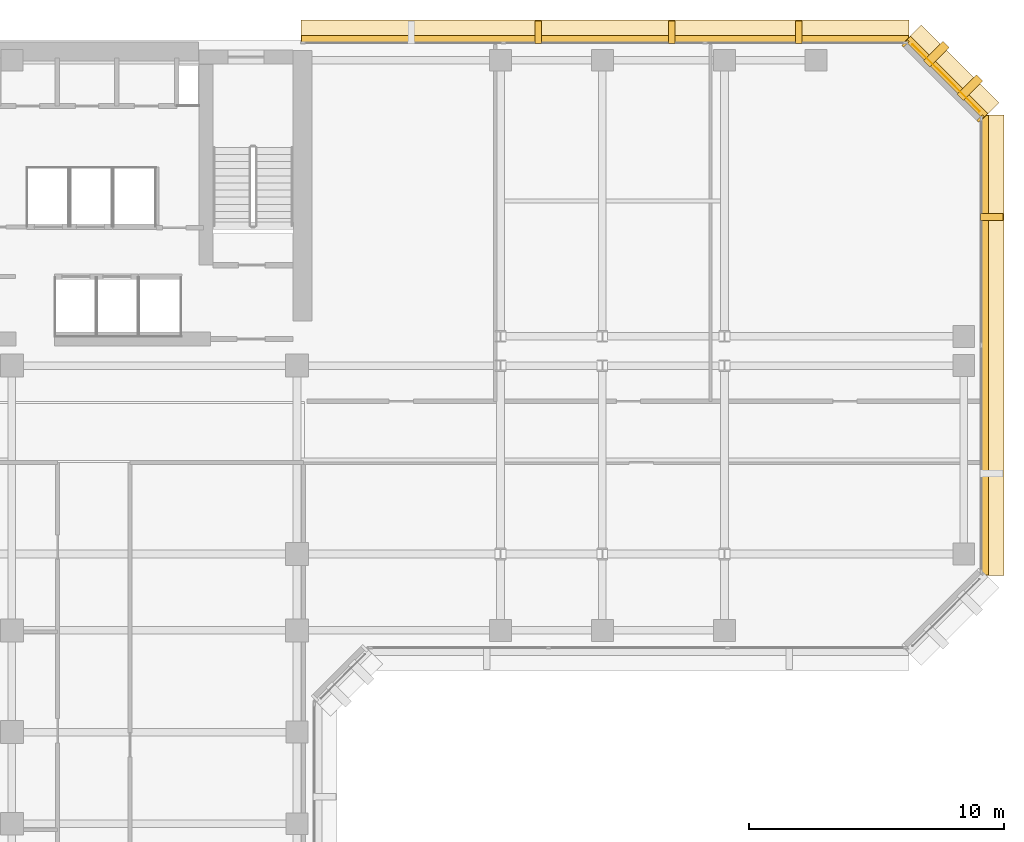
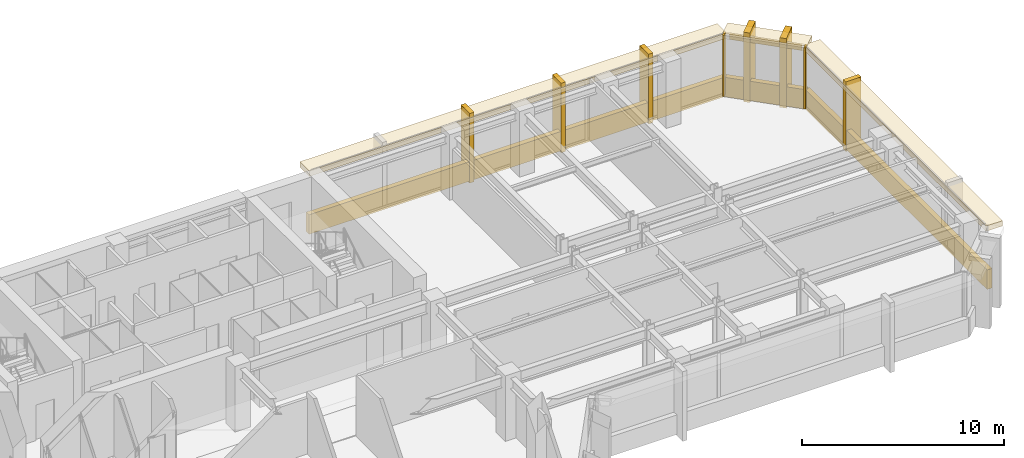
# One storey, part 11 of 11: 15 coverings.
"""IFC4 building model written with IfcOpenShell, lengths in metres."""

from ifc_helpers import new_model, si_unit, direction, frame, origin, origin_2d, place, context, subcontext, project, spatial, rectangle, extrude, material, layer, layer_set, type_object, element, save


model = new_model("IFC4")

# Units and contexts
model_context = context("Model", 3, precision=1e-05, world=origin(), true_north=direction((0.0, 1.0)))
body_context = subcontext(model_context, "Body", "Model", "MODEL_VIEW")
ifc_project = project(units=[si_unit("LENGTHUNIT", "METRE"), si_unit("AREAUNIT", "SQUARE_METRE"), si_unit("VOLUMEUNIT", "CUBIC_METRE"), si_unit("PLANEANGLEUNIT", "RADIAN"), si_unit("MASSUNIT", "GRAM", prefix="KILO")], contexts=[model_context])

# Site, building, storey
site_placement = place(None, origin())
site = spatial("IfcSite", under=ifc_project, at=site_placement, CompositionType="ELEMENT")
building_placement = place(site_placement, origin())
building = spatial("IfcBuilding", under=site, at=building_placement, Name="Kefirva Bronze Tower", CompositionType="ELEMENT")
storey_placement = place(building_placement, frame((0.0, 0.0, 166.64990234375)))
storey = spatial("IfcBuildingStorey", under=building, at=storey_placement, Name="L40", CompositionType="ELEMENT", Elevation=166.64990234375)

# Coverings
ifc_material = material(Name="Bronze anodised aluminium", Category="aluminium")
ifc_layer_1 = layer(ifc_material, 0.02001953125, Name="Bronze anodised aluminium")
ifc_layer_set_1 = layer_set([ifc_layer_1], Name="Bronze anodised aluminium")
covering_type_1 = type_object("IfcCoveringType", Name="Anodised Bronze Spandrel Cladding 20mm", PredefinedType="CLADDING", material=ifc_layer_set_1)
covering_1_placement = place(storey_placement, frame((50.239990234375, 34.0, -0.15966796875), z_axis=(0.0, 0.0, 1.0), x_axis=(0.0, 1.0, 0.0)))
element("IfcCovering", 1, at=covering_1_placement, inside=storey, type_object=covering_type_1, Name="L40 Streamline Horizontal Spandrel Band 6", PredefinedType="CLADDING", context=body_context, shape_type="SweptSolid", body=[
    extrude(rectangle(XDim=18.0400390625, YDim=0.280029296875, at=origin_2d()), origin(), (0.0, 0.0, 1.0), 1.179931640625),
])
covering_2_placement = place(storey_placement, frame((48.70703125, 44.507080078125, 3.2900390625), z_axis=(0.0, 0.0, 1.0), x_axis=(-0.707106781187, 0.707106781187, 0.0)))
element("IfcCovering", 2, at=covering_2_placement, inside=storey, type_object=covering_type_1, Name="L40 Bronze Spandrel Cladding 4", PredefinedType="CLADDING", context=body_context, shape_type="SweptSolid", body=[
    extrude(rectangle(XDim=3.719482421875, YDim=0.02001953125, at=origin_2d()), origin(), (0.0, 0.0, 1.0), 0.39990234375),
])
for number, where, z_axis, x_axis, name in (
    (3, (50.06201171875, 42.91162109375, 0.0), (0.0, 0.0, 1.0), (-0.707106781187, 0.707106781187, 0.0), "L40 Facade Joint Closure Panel 4S"),
    (4, (47.11181640625, 45.862060546875, 0.0), (0.0, 0.0, 1.0), (-0.707106781187, 0.707106781187, 0.0), "L40 Facade Joint Closure Panel 4E"),
):
    element("IfcCovering", number, at=place(storey_placement, frame(where, z_axis=z_axis, x_axis=x_axis)), inside=storey, type_object=covering_type_1, Name=name, PredefinedType="CLADDING", context=body_context, shape_type="SweptSolid", body=[
        extrude(rectangle(XDim=0.10009765625, YDim=0.320068359375, at=origin_2d()), origin(), (0.0, 0.0, 1.0), 3.7099609375),
    ])
covering_3_placement = place(storey_placement, frame((48.728271484375, 44.5283203125, -0.15966796875), z_axis=(0.0, 0.0, 1.0), x_axis=(-0.707106781187, 0.707106781187, 0.0)))
element("IfcCovering", 5, at=covering_3_placement, inside=storey, type_object=covering_type_1, Name="L40 Streamline Horizontal Spandrel Band 7", PredefinedType="CLADDING", context=body_context, shape_type="SweptSolid", body=[
    extrude(rectangle(XDim=4.28271484375, YDim=0.280029296875, at=origin_2d()), origin(), (0.0, 0.0, 1.0), 1.179931640625),
])
covering_4_placement = place(storey_placement, frame((35.302490234375, 46.0400390625, -0.15966796875), z_axis=(0.0, 0.0, 1.0), x_axis=(-1.0, 0.0, 0.0)))
element("IfcCovering", 6, at=covering_4_placement, inside=storey, type_object=covering_type_1, Name="L40 Streamline Horizontal Spandrel Band 8", PredefinedType="CLADDING", context=body_context, shape_type="SweptSolid", body=[
    extrude(rectangle(XDim=23.8349609375, YDim=0.280029296875, at=origin_2d()), origin(), (0.0, 0.0, 1.0), 1.179931640625),
])
ifc_layer_2 = layer(ifc_material, 0.179931640625, Name="Bronze anodised aluminium")
ifc_layer_set_2 = layer_set([ifc_layer_2], Name="Bronze anodised aluminium")
covering_type_2 = type_object("IfcCoveringType", Name="Streamline Bronze Sunshade Eyebrow Cladding 180mm", PredefinedType="CLADDING", material=ifc_layer_set_2)
covering_5_placement = place(storey_placement, frame((50.510009765625, 34.0, 3.39013671875), z_axis=(0.0, 0.0, 1.0), x_axis=(0.0, 1.0, 0.0)))
element("IfcCovering", 7, at=covering_5_placement, inside=storey, type_object=covering_type_2, Name="L40 Streamline Bronze Sunshade Eyebrow 6", PredefinedType="CLADDING", context=body_context, shape_type="SweptSolid", body=[
    extrude(rectangle(XDim=18.080078125, YDim=0.93994140625, at=origin_2d()), origin(), (0.0, 0.0, 1.0), 0.320068359375),
])
covering_6_placement = place(storey_placement, frame((48.919189453125, 44.71923828125, 3.39013671875), z_axis=(0.0, 0.0, 1.0), x_axis=(-0.707106781187, 0.707106781187, 0.0)))
element("IfcCovering", 8, at=covering_6_placement, inside=storey, type_object=covering_type_2, Name="L40 Streamline Bronze Sunshade Eyebrow 7", PredefinedType="CLADDING", context=body_context, shape_type="SweptSolid", body=[
    extrude(rectangle(XDim=4.322509765625, YDim=0.93994140625, at=origin_2d()), origin(), (0.0, 0.0, 1.0), 0.320068359375),
])
covering_7_placement = place(storey_placement, frame((35.302490234375, 46.31005859375, 3.39013671875), z_axis=(0.0, 0.0, 1.0), x_axis=(-1.0, 0.0, 0.0)))
element("IfcCovering", 9, at=covering_7_placement, inside=storey, type_object=covering_type_2, Name="L40 Streamline Bronze Sunshade Eyebrow 8", PredefinedType="CLADDING", context=body_context, shape_type="SweptSolid", body=[
    extrude(rectangle(XDim=23.875, YDim=0.93994140625, at=origin_2d()), origin(), (0.0, 0.0, 1.0), 0.320068359375),
])
ifc_layer_3 = layer(ifc_material, 0.260009765625, Name="Bronze anodised aluminium")
ifc_layer_set_3 = layer_set([ifc_layer_3], Name="Bronze anodised aluminium")
covering_type_3 = type_object("IfcCoveringType", Name="Unbroken Bronze Buttress Fin Cladding 260mm", PredefinedType="CLADDING", material=ifc_layer_set_3)
covering_8_placement = place(storey_placement, frame((50.5, 39.0400390625, -0.25), z_axis=(0.0, 0.0, 1.0), x_axis=(0.0, 1.0, 0.0)))
element("IfcCovering", 10, at=covering_8_placement, inside=storey, type_object=covering_type_3, Name="L40 Unbroken Vertical Bronze Rib Fin 14", PredefinedType="CLADDING", context=body_context, shape_type="SweptSolid", body=[
    extrude(rectangle(XDim=0.260009765625, YDim=0.8798828125, at=origin_2d()), origin(), (0.0, 0.0, 1.0), 4.2099609375),
])
for number, where, z_axis, x_axis, name in (
    (11, (49.642822265625, 44.122802734375, -0.25), (0.0, 0.0, 1.0), (-0.707106781187, 0.707106781187, 0.0), "L40 Chamfered Corner Buttress Fin Cladding 15"),
    (12, (48.32275390625, 45.44287109375, -0.25), (0.0, 0.0, 1.0), (-0.707106781187, 0.707106781187, 0.0), "L40 Chamfered Corner Buttress Fin Cladding 16"),
):
    element("IfcCovering", number, at=place(storey_placement, frame(where, z_axis=z_axis, x_axis=x_axis)), inside=storey, type_object=covering_type_3, Name=name, PredefinedType="CLADDING", context=body_context, shape_type="SweptSolid", body=[
        extrude(rectangle(XDim=0.340087890625, YDim=1.080078125, at=origin_2d()), origin(), (0.0, 0.0, 1.0), 4.2099609375),
    ])
for number, where, z_axis, x_axis, name in (
    (13, (42.9169921875, 46.300048828125, -0.25), (0.0, 0.0, 1.0), (-1.0, 0.0, 0.0), "L40 Unbroken Vertical Bronze Rib Fin 17"),
    (14, (37.919921875, 46.300048828125, -0.25), (0.0, 0.0, 1.0), (-1.0, 0.0, 0.0), "L40 Unbroken Vertical Bronze Rib Fin 18"),
    (15, (32.68505859375, 46.300048828125, -0.25), (0.0, 0.0, 1.0), (-1.0, 0.0, 0.0), "L40 Unbroken Vertical Bronze Rib Fin 19"),
):
    element("IfcCovering", number, at=place(storey_placement, frame(where, z_axis=z_axis, x_axis=x_axis)), inside=storey, type_object=covering_type_3, Name=name, PredefinedType="CLADDING", context=body_context, shape_type="SweptSolid", body=[
        extrude(rectangle(XDim=0.260009765625, YDim=0.8798828125, at=origin_2d()), origin(), (0.0, 0.0, 1.0), 4.2099609375),
    ])

save(model, "model.ifc")
